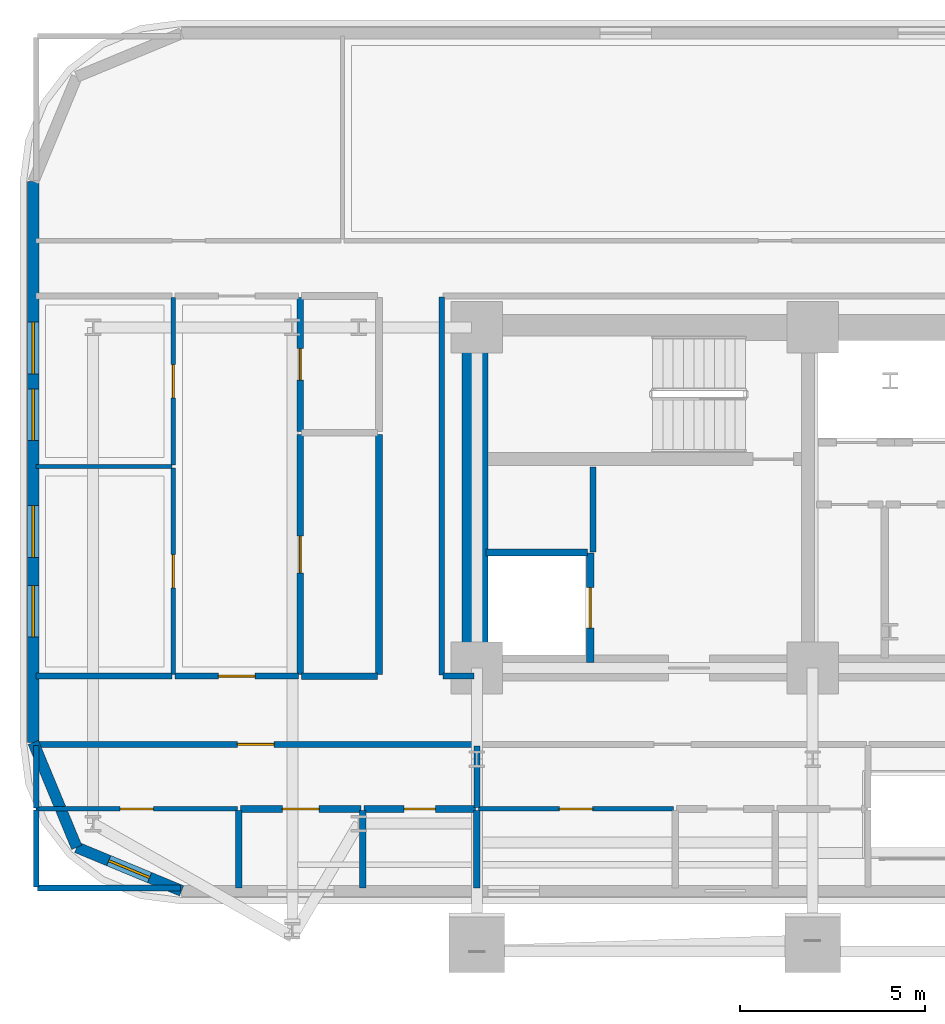
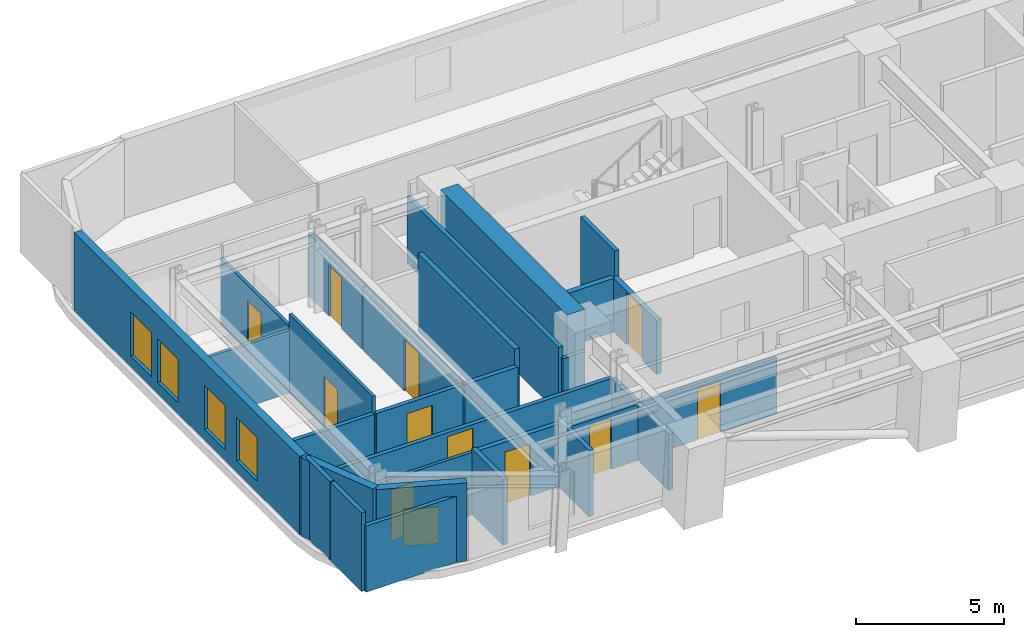
# One storey, part 8 of 16: 30 walls, 11 doors, 5 windows, 16 openings.
"""IFC4 building model written with IfcOpenShell, lengths in metres."""

from ifc_helpers import new_model, si_unit, direction, frame, frame_2d, origin, place, context, subcontext, project, spatial, rectangle, extrude, material, layer, layer_set, type_object, element, fill, save


model = new_model("IFC4")

# Units and contexts
model_context = context("Model", 3, precision=1e-05, world=origin(), true_north=direction((0.0, 1.0)))
body_context = subcontext(model_context, "Body", "Model", "MODEL_VIEW")
ifc_project = project(units=[si_unit("LENGTHUNIT", "METRE"), si_unit("AREAUNIT", "SQUARE_METRE"), si_unit("VOLUMEUNIT", "CUBIC_METRE"), si_unit("PLANEANGLEUNIT", "RADIAN"), si_unit("MASSUNIT", "GRAM", prefix="KILO")], contexts=[model_context])

# Site, building, storey
site_placement = place(None, origin())
site = spatial("IfcSite", under=ifc_project, at=site_placement, CompositionType="ELEMENT")
building_placement = place(site_placement, origin())
building = spatial("IfcBuilding", under=site, at=building_placement, Name="Zarnavel Station Tower", CompositionType="ELEMENT")
storey_placement = place(building_placement, frame((0.0, 0.0, 64.0)))
storey = spatial("IfcBuildingStorey", under=building, at=storey_placement, Name="L17", CompositionType="ELEMENT", Elevation=64.0)

# Wall
ifc_material_1 = material(Name="Concrete C60/75", Category="concrete")
ifc_layer_1 = layer(ifc_material_1, 0.699951171875)
ifc_layer_set_1 = layer_set([ifc_layer_1], Name="CW_700")
wall_type_1 = type_object("IfcWallType", Name="CW_700", PredefinedType="SHEAR", material=ifc_layer_set_1)
wall_1_placement = place(storey_placement, frame((12.14990234375, 28.169921875, 0.0), z_axis=(0.0, 0.0, 1.0), x_axis=(0.0, 1.0, 0.0)))
element("IfcWall", 1, at=wall_1_placement, inside=storey, type_object=wall_type_1, Name="L17 Rear Core Shear Wall W", PredefinedType="SHEAR", context=body_context, shape_type="SweptSolid", body=[
    extrude(rectangle(XDim=8.530029296875, YDim=0.699951171875, at=frame_2d((4.26513671875, 0.0))), origin(), (0.0, 0.0, 1.0), 3.5),
])

# Wall, openings, windows
ifc_material_2 = material(Name="Precast concrete C45/55 (Dark Basalt Finish)", Category="masonry")
ifc_layer_2 = layer(ifc_material_2, 0.300048828125)
ifc_layer_set_2 = layer_set([ifc_layer_2], Name="EW_BASALT_300")
wall_type_2 = type_object("IfcWallType", Name="EW_BASALT_300", PredefinedType="SOLIDWALL", material=ifc_layer_set_2)
wall_2_placement = place(storey_placement, frame((0.179931640625, 25.800048828125, 0.0), z_axis=(0.0, 0.0, 1.0), x_axis=(0.0, 1.0, 0.0)))
wall_2 = element("IfcWall", 2, at=wall_2_placement, inside=storey, type_object=wall_type_2, Name="L17 Exterior Basalt Masonry Frame Wall 09", PredefinedType="SOLIDWALL", context=body_context, shape_type="SweptSolid", body=[
    extrude(rectangle(XDim=15.199951171875, YDim=0.300048828125, at=frame_2d((7.60009765625, 0.0))), origin(), (0.0, 0.0, 1.0), 3.239990234375),
])
opening_1_placement = place(wall_2_placement, frame((2.859619140625, 0.0, 0.47998046875)))
opening_1 = element("IfcOpeningElement", 3, at=opening_1_placement, cuts=wall_2, Name="Opening WN01", PredefinedType="OPENING", context=body_context, shape_type="SweptSolid", body=[
    extrude(rectangle(XDim=1.39990234375, YDim=1.800048828125, at=frame_2d((0.699951171875, 0.89990234375))), frame((0.0, 0.159912109375, 0.0), z_axis=(0.0, -1.0, 0.0), x_axis=(1.0, 0.0, 0.0)), (0.0, 0.0, 1.0), 0.320068359375),
])
opening_2_placement = place(wall_2_placement, frame((5.019287109375, 0.0, 0.47998046875)))
opening_2 = element("IfcOpeningElement", 4, at=opening_2_placement, cuts=wall_2, Name="Opening WN01", PredefinedType="OPENING", context=body_context, shape_type="SweptSolid", body=[
    extrude(rectangle(XDim=1.39990234375, YDim=1.800048828125, at=frame_2d((0.699951171875, 0.89990234375))), frame((0.0, 0.159912109375, 0.0), z_axis=(0.0, -1.0, 0.0), x_axis=(1.0, 0.0, 0.0)), (0.0, 0.0, 1.0), 0.320068359375),
])
opening_3_placement = place(wall_2_placement, frame((8.18603515625, 0.0, 0.47998046875)))
opening_3 = element("IfcOpeningElement", 5, at=opening_3_placement, cuts=wall_2, Name="Opening WN01", PredefinedType="OPENING", context=body_context, shape_type="SweptSolid", body=[
    extrude(rectangle(XDim=1.39990234375, YDim=1.800048828125, at=frame_2d((0.699951171875, 0.89990234375))), frame((0.0, 0.159912109375, 0.0), z_axis=(0.0, -1.0, 0.0), x_axis=(1.0, 0.0, 0.0)), (0.0, 0.0, 1.0), 0.320068359375),
])
opening_4_placement = place(wall_2_placement, frame((9.992919921875, 0.0, 0.47998046875)))
opening_4 = element("IfcOpeningElement", 6, at=opening_4_placement, cuts=wall_2, Name="Opening WN01", PredefinedType="OPENING", context=body_context, shape_type="SweptSolid", body=[
    extrude(rectangle(XDim=1.39990234375, YDim=1.800048828125, at=frame_2d((0.699951171875, 0.89990234375))), frame((0.0, 0.159912109375, 0.0), z_axis=(0.0, -1.0, 0.0), x_axis=(1.0, 0.0, 0.0)), (0.0, 0.0, 1.0), 0.320068359375),
])
ifc_material_3 = material(Name="Thermally Broken Black Aluminium and Low-E Dark Glass", Category="aluminium")
window_type_1 = type_object("IfcWindowType", Name="WN_1400x1800", PartitioningType="DOUBLE_PANEL_VERTICAL", PredefinedType="WINDOW", material=ifc_material_3)
window_1_placement = place(opening_1_placement, origin())
window_1 = element("IfcWindow", 7, at=window_1_placement, inside=storey, type_object=window_type_1, Name="L17 Recessed Facade Window 01", OverallHeight=1.800048828125, OverallWidth=1.39990234375, PartitioningType="SINGLE_PANEL", PredefinedType="WINDOW", context=body_context, shape_type="SweptSolid", body=[
    extrude(rectangle(XDim=1.39990234375, YDim=1.800048828125, at=frame_2d((0.699951171875, 0.89990234375))), frame((0.0, 0.030029296875, 0.0), z_axis=(0.0, -1.0, 0.0), x_axis=(1.0, 0.0, 0.0)), (0.0, 0.0, 1.0), 0.06005859375),
])
fill(opening_1, window_1)
window_2_placement = place(opening_2_placement, origin())
window_2 = element("IfcWindow", 8, at=window_2_placement, inside=storey, type_object=window_type_1, Name="L17 Recessed Facade Window 02", OverallHeight=1.800048828125, OverallWidth=1.39990234375, PartitioningType="SINGLE_PANEL", PredefinedType="WINDOW", context=body_context, shape_type="SweptSolid", body=[
    extrude(rectangle(XDim=1.39990234375, YDim=1.800048828125, at=frame_2d((0.699951171875, 0.89990234375))), frame((0.0, 0.030029296875, 0.0), z_axis=(0.0, -1.0, 0.0), x_axis=(1.0, 0.0, 0.0)), (0.0, 0.0, 1.0), 0.06005859375),
])
fill(opening_2, window_2)
window_3_placement = place(opening_3_placement, origin())
window_3 = element("IfcWindow", 9, at=window_3_placement, inside=storey, type_object=window_type_1, Name="L17 Recessed Facade Window 03", OverallHeight=1.800048828125, OverallWidth=1.39990234375, PartitioningType="SINGLE_PANEL", PredefinedType="WINDOW", context=body_context, shape_type="SweptSolid", body=[
    extrude(rectangle(XDim=1.39990234375, YDim=1.800048828125, at=frame_2d((0.699951171875, 0.89990234375))), frame((0.0, 0.030029296875, 0.0), z_axis=(0.0, -1.0, 0.0), x_axis=(1.0, 0.0, 0.0)), (0.0, 0.0, 1.0), 0.06005859375),
])
fill(opening_3, window_3)
window_4_placement = place(opening_4_placement, origin())
window_4 = element("IfcWindow", 10, at=window_4_placement, inside=storey, type_object=window_type_1, Name="L17 Recessed Facade Window 04", OverallHeight=1.800048828125, OverallWidth=1.39990234375, PartitioningType="SINGLE_PANEL", PredefinedType="WINDOW", context=body_context, shape_type="SweptSolid", body=[
    extrude(rectangle(XDim=1.39990234375, YDim=1.800048828125, at=frame_2d((0.699951171875, 0.89990234375))), frame((0.0, 0.030029296875, 0.0), z_axis=(0.0, -1.0, 0.0), x_axis=(1.0, 0.0, 0.0)), (0.0, 0.0, 1.0), 0.06005859375),
])
fill(opening_4, window_4)

# Wall
wall_3_placement = place(storey_placement, frame((1.357421875, 22.95751953125, 0.0), z_axis=(0.0, 0.0, 1.0), x_axis=(-0.382704529509, 0.923870793506, 0.0)))
element("IfcWall", 11, at=wall_3_placement, inside=storey, type_object=wall_type_2, Name="L17 Exterior Basalt Masonry Frame Wall 10", PredefinedType="SOLIDWALL", context=body_context, shape_type="SweptSolid", body=[
    extrude(rectangle(XDim=3.07666015625, YDim=0.300048828125, at=frame_2d((1.538330078125, 0.0))), origin(), (0.0, 0.0, 1.0), 3.239990234375),
])

# Wall, opening, window
wall_4_placement = place(storey_placement, frame((4.199951171875, 21.780029296875, 0.0), z_axis=(0.0, 0.0, 1.0), x_axis=(-0.923870793506, 0.382704529509, 0.0)))
wall_4 = element("IfcWall", 12, at=wall_4_placement, inside=storey, type_object=wall_type_2, Name="L17 Exterior Basalt Masonry Frame Wall 11", PredefinedType="SOLIDWALL", context=body_context, shape_type="SweptSolid", body=[
    extrude(rectangle(XDim=3.07666015625, YDim=0.300048828125, at=frame_2d((1.538330078125, 0.0))), origin(), (0.0, 0.0, 1.0), 3.239990234375),
])
opening_5_placement = place(wall_4_placement, frame((0.9384765625, 0.0, 0.75)))
opening_5 = element("IfcOpeningElement", 13, at=opening_5_placement, cuts=wall_4, Name="Opening WN08", PredefinedType="OPENING", context=body_context, shape_type="SweptSolid", body=[
    extrude(rectangle(XDim=1.199951171875, YDim=1.5, at=frame_2d((0.60009765625, 0.75))), frame((0.0, 0.159912109375, 0.0), z_axis=(0.0, -1.0, 0.0), x_axis=(1.0, 0.0, 0.0)), (0.0, 0.0, 1.0), 0.320068359375),
])
ifc_material_4 = material(Name="Thermally Broken Black Aluminium and Low-E Dark Glass", Category="aluminium")
window_type_2 = type_object("IfcWindowType", Name="WN_1200x1500", PartitioningType="SINGLE_PANEL", PredefinedType="WINDOW", material=ifc_material_4)
window_5_placement = place(opening_5_placement, origin())
window_5 = element("IfcWindow", 14, at=window_5_placement, inside=storey, type_object=window_type_2, Name="L17 Recessed Facade Window 01", OverallHeight=1.5, OverallWidth=1.199951171875, PartitioningType="SINGLE_PANEL", PredefinedType="WINDOW", context=body_context, shape_type="SweptSolid", body=[
    extrude(rectangle(XDim=1.199951171875, YDim=1.5, at=frame_2d((0.60009765625, 0.75))), frame((0.0, 0.030029296875, 0.0), z_axis=(0.0, -1.0, 0.0), x_axis=(1.0, 0.0, 0.0)), (0.0, 0.0, 1.0), 0.06005859375),
])
fill(opening_5, window_5)

# Wall, opening, door
ifc_material_5 = material(Name="Gypsum Twin-Stud Acoustic Fire Partition", Category="concrete")
ifc_layer_3 = layer(ifc_material_5, 0.159912109375)
ifc_layer_set_3 = layer_set([ifc_layer_3], Name="PT_DEMISE_160")
wall_type_3 = type_object("IfcWallType", Name="PT_DEMISE_160", PredefinedType="PARTITIONING", material=ifc_layer_set_3)
wall_5_placement = place(storey_placement, frame((4.01611328125, 27.60009765625, 0.0), z_axis=(0.0, 0.0, 1.0), x_axis=(1.0, 0.0, 0.0)))
wall_5 = element("IfcWall", 15, at=wall_5_placement, inside=storey, type_object=wall_type_3, Name="L17 Partition COR-S-FNWLV", PredefinedType="PARTITIONING", context=body_context, shape_type="SweptSolid", body=[
    extrude(rectangle(XDim=3.35693359375, YDim=0.159912109375, at=frame_2d((1.678466796875, 0.0))), origin(), (0.0, 0.0, 1.0), 2.570068359375),
])
opening_6_placement = place(wall_5_placement, frame((1.178466796875, 0.0, 0.0)))
opening_6 = element("IfcOpeningElement", 16, at=opening_6_placement, cuts=wall_5, Name="Opening FD02", PredefinedType="OPENING", context=body_context, shape_type="SweptSolid", body=[
    extrude(rectangle(XDim=1.0, YDim=2.14990234375, at=frame_2d((0.5, 1.074951171875))), frame((0.0, 0.08984375, 0.0), z_axis=(0.0, -1.0, 0.0), x_axis=(1.0, 0.0, 0.0)), (0.0, 0.0, 1.0), 0.179931640625),
])
ifc_material_6 = material(Name="Painted Galvanised Steel and Hardwood Leaf", Category="steel")
door_type_1 = type_object("IfcDoorType", Name="ID_ENTRY_1000", OperationType="NOTDEFINED", PredefinedType="DOOR", material=ifc_material_6)
door_1_placement = place(opening_6_placement, origin())
door_1 = element("IfcDoor", 17, at=door_1_placement, inside=storey, type_object=door_type_1, Name="L17 Door COR-S-FNWLV", OperationType="SINGLE_SWING_RIGHT", OverallHeight=2.14990234375, OverallWidth=1.0, PredefinedType="DOOR", context=body_context, shape_type="SweptSolid", body=[
    extrude(rectangle(XDim=1.0, YDim=2.14990234375, at=frame_2d((0.5, 1.074951171875))), frame((0.0, 0.02490234375, 0.0), z_axis=(0.0, -1.0, 0.0), x_axis=(1.0, 0.0, 0.0)), (0.0, 0.0, 1.0), 0.050048828125),
])
fill(opening_6, door_1)

# Wall
wall_6_placement = place(storey_placement, frame((0.260009765625, 27.60009765625, 0.0), z_axis=(0.0, 0.0, 1.0), x_axis=(1.0, 0.0, 0.0)))
element("IfcWall", 18, at=wall_6_placement, inside=storey, type_object=wall_type_3, Name="L17 Partition COR-S-FNWB1", PredefinedType="PARTITIONING", context=body_context, shape_type="SweptSolid", body=[
    extrude(rectangle(XDim=3.676025390625, YDim=0.159912109375, at=frame_2d((1.837890625, 0.0))), origin(), (0.0, 0.0, 1.0), 2.570068359375),
])

# Wall, opening, door
wall_7_placement = place(storey_placement, frame((0.260009765625, 25.75, 0.0), z_axis=(0.0, 0.0, 1.0), x_axis=(1.0, 0.0, 0.0)))
wall_7 = element("IfcWall", 19, at=wall_7_placement, inside=storey, type_object=wall_type_3, Name="L17 Partition COR-S-UW1LV", PredefinedType="PARTITIONING", context=body_context, shape_type="SweptSolid", body=[
    extrude(rectangle(XDim=11.89990234375, YDim=0.159912109375, at=frame_2d((5.949951171875, 0.0))), origin(), (0.0, 0.0, 1.0), 2.31005859375),
])
opening_7_placement = place(wall_7_placement, frame((5.449951171875, 0.0, 0.0)))
opening_7 = element("IfcOpeningElement", 20, at=opening_7_placement, cuts=wall_7, Name="Opening FD02", PredefinedType="OPENING", context=body_context, shape_type="SweptSolid", body=[
    extrude(rectangle(XDim=1.0, YDim=2.14990234375, at=frame_2d((0.5, 1.074951171875))), frame((0.0, 0.08984375, 0.0), z_axis=(0.0, -1.0, 0.0), x_axis=(1.0, 0.0, 0.0)), (0.0, 0.0, 1.0), 0.179931640625),
])
door_2_placement = place(opening_7_placement, origin())
door_2 = element("IfcDoor", 21, at=door_2_placement, inside=storey, type_object=door_type_1, Name="L17 Door COR-S-UW1LV", OperationType="SINGLE_SWING_RIGHT", OverallHeight=2.14990234375, OverallWidth=1.0, PredefinedType="DOOR", context=body_context, shape_type="SweptSolid", body=[
    extrude(rectangle(XDim=1.0, YDim=2.14990234375, at=frame_2d((0.5, 1.074951171875))), frame((0.0, 0.02490234375, 0.0), z_axis=(0.0, -1.0, 0.0), x_axis=(1.0, 0.0, 0.0)), (0.0, 0.0, 1.0), 0.050048828125),
])
fill(opening_7, door_2)

# Walls
wall_8_placement = place(storey_placement, frame((12.199951171875, 24.0400390625, 0.0), z_axis=(0.0, 0.0, 1.0), x_axis=(0.0, 1.0, 0.0)))
element("IfcWall", 22, at=wall_8_placement, inside=storey, type_object=wall_type_3, Name="L17 Partition UW1LV-UW2LV", PredefinedType="PARTITIONING", context=body_context, shape_type="SweptSolid", body=[
    extrude(rectangle(XDim=1.669921875, YDim=0.159912109375, at=frame_2d((0.8349609375, 0.0))), origin(), (0.0, 0.0, 1.0), 2.31005859375),
])
wall_9_placement = place(storey_placement, frame((15.35009765625, 30.9599609375, 0.0), z_axis=(0.0, 0.0, 1.0), x_axis=(0.0, 1.0, 0.0)))
element("IfcWall", 23, at=wall_9_placement, inside=storey, type_object=wall_type_3, Name="L17 Enclosure Wall FFL1", PredefinedType="PARTITIONING", context=body_context, shape_type="SweptSolid", body=[
    extrude(rectangle(XDim=2.31005859375, YDim=0.159912109375, at=frame_2d((1.155029296875, 0.0))), origin(), (0.0, 0.0, 1.0), 3.239990234375),
])
wall_10_placement = place(storey_placement, frame((11.280029296875, 27.60009765625, 0.0), z_axis=(0.0, 0.0, 1.0), x_axis=(1.0, 0.0, 0.0)))
element("IfcWall", 24, at=wall_10_placement, inside=storey, type_object=wall_type_3, Name="L17 Enclosure Wall COR-S", PredefinedType="PARTITIONING", context=body_context, shape_type="SweptSolid", body=[
    extrude(rectangle(XDim=0.840087890625, YDim=0.159912109375, at=frame_2d((0.419921875, 0.0))), origin(), (0.0, 0.0, 1.0), 2.280029296875),
])
wall_11_placement = place(storey_placement, frame((11.25, 27.6298828125, 0.0), z_axis=(0.0, 0.0, 1.0), x_axis=(0.0, 1.0, 0.0)))
element("IfcWall", 25, at=wall_11_placement, inside=storey, type_object=wall_type_3, Name="L17 Enclosure Wall COR-W", PredefinedType="PARTITIONING", context=body_context, shape_type="SweptSolid", body=[
    extrude(rectangle(XDim=10.240234375, YDim=0.159912109375, at=frame_2d((5.1201171875, 0.0))), origin(), (0.0, 0.0, 1.0), 2.719970703125),
])
wall_12_placement = place(storey_placement, frame((0.260009765625, 24.030029296875, 0.0), z_axis=(0.0, 0.0, 1.0), x_axis=(0.0, 1.0, 0.0)))
element("IfcWall", 26, at=wall_12_placement, inside=storey, type_object=wall_type_3, Name="L17 Enclosure Wall UW1LV", PredefinedType="PARTITIONING", context=body_context, shape_type="SweptSolid", body=[
    extrude(rectangle(XDim=1.68994140625, YDim=0.159912109375, at=frame_2d((0.844970703125, 0.0))), origin(), (0.0, 0.0, 1.0), 3.239990234375),
])
wall_13_placement = place(storey_placement, frame((0.2900390625, 21.860107421875, 0.0), z_axis=(0.0, 0.0, 1.0), x_axis=(1.0, 0.0, 0.0)))
element("IfcWall", 27, at=wall_13_placement, inside=storey, type_object=wall_type_3, Name="L17 Enclosure Wall UW1B1", PredefinedType="PARTITIONING", context=body_context, shape_type="SweptSolid", body=[
    extrude(rectangle(XDim=3.8798828125, YDim=0.159912109375, at=frame_2d((1.93994140625, 0.0))), origin(), (0.0, 0.0, 1.0), 2.719970703125),
])
wall_14_placement = place(storey_placement, frame((0.260009765625, 21.889892578125, 0.0), z_axis=(0.0, 0.0, 1.0), x_axis=(0.0, 1.0, 0.0)))
element("IfcWall", 28, at=wall_14_placement, inside=storey, type_object=wall_type_3, Name="L17 Enclosure Wall UW1B1", PredefinedType="PARTITIONING", context=body_context, shape_type="SweptSolid", body=[
    extrude(rectangle(XDim=2.080078125, YDim=0.159912109375, at=frame_2d((1.0400390625, 0.0))), origin(), (0.0, 0.0, 1.0), 3.239990234375),
])

# Wall, opening, door
ifc_material_7 = material(Name="Gypsum Metal-Stud Interior Partition", Category="concrete")
ifc_layer_4 = layer(ifc_material_7, 0.1201171875)
ifc_layer_set_4 = layer_set([ifc_layer_4], Name="PT_ROOM_120")
wall_type_4 = type_object("IfcWallType", Name="PT_ROOM_120", PredefinedType="PARTITIONING", material=ifc_layer_set_4)
wall_15_placement = place(storey_placement, frame((3.97607421875, 27.639892578125, 0.0), z_axis=(0.0, 0.0, 1.0), x_axis=(0.0, 1.0, 0.0)))
wall_15 = element("IfcWall", 29, at=wall_15_placement, inside=storey, type_object=wall_type_4, Name="L17 Partition FNWLV-FNWB1", PredefinedType="PARTITIONING", context=body_context, shape_type="SweptSolid", body=[
    extrude(rectangle(XDim=5.59912109375, YDim=0.1201171875, at=frame_2d((2.799560546875, 0.0))), origin(), (0.0, 0.0, 1.0), 3.239990234375),
])
opening_8_placement = place(wall_15_placement, frame((2.349609375, 0.0, 0.0)))
opening_8 = element("IfcOpeningElement", 30, at=opening_8_placement, cuts=wall_15, Name="Opening ID01", PredefinedType="OPENING", context=body_context, shape_type="SweptSolid", body=[
    extrude(rectangle(XDim=0.89990234375, YDim=2.10009765625, at=frame_2d((0.449951171875, 1.050048828125))), frame((0.0, 0.070068359375, 0.0), z_axis=(0.0, -1.0, 0.0), x_axis=(1.0, 0.0, 0.0)), (0.0, 0.0, 1.0), 0.14013671875),
])
ifc_material_8 = material(Name="Painted Galvanised Steel and Hardwood Leaf", Category="steel")
door_type_2 = type_object("IfcDoorType", Name="ID_ROOM_900", OperationType="NOTDEFINED", PredefinedType="DOOR", material=ifc_material_8)
door_3_placement = place(opening_8_placement, origin())
door_3 = element("IfcDoor", 31, at=door_3_placement, inside=storey, type_object=door_type_2, Name="L17 Door FNWLV-FNWB1", OperationType="SINGLE_SWING_LEFT", OverallHeight=2.10009765625, OverallWidth=0.89990234375, PredefinedType="DOOR", context=body_context, shape_type="SweptSolid", body=[
    extrude(rectangle(XDim=0.89990234375, YDim=2.10009765625, at=frame_2d((0.449951171875, 1.050048828125))), frame((0.0, 0.02490234375, 0.0), z_axis=(0.0, -1.0, 0.0), x_axis=(1.0, 0.0, 0.0)), (0.0, 0.0, 1.0), 0.050048828125),
])
fill(opening_8, door_3)

wall_16_placement = place(storey_placement, frame((3.97607421875, 33.319091796875, 0.0), z_axis=(0.0, 0.0, 1.0), x_axis=(0.0, 1.0, 0.0)))
wall_16 = element("IfcWall", 32, at=wall_16_placement, inside=storey, type_object=wall_type_4, Name="L17 Partition FNWLV-FNWB2", PredefinedType="PARTITIONING", context=body_context, shape_type="SweptSolid", body=[
    extrude(rectangle(XDim=4.541015625, YDim=0.1201171875, at=frame_2d((2.2705078125, 0.0))), origin(), (0.0, 0.0, 1.0), 2.719970703125),
])
opening_9_placement = place(wall_16_placement, frame((1.820556640625, 0.0, 0.0)))
opening_9 = element("IfcOpeningElement", 33, at=opening_9_placement, cuts=wall_16, Name="Opening ID01", PredefinedType="OPENING", context=body_context, shape_type="SweptSolid", body=[
    extrude(rectangle(XDim=0.89990234375, YDim=2.10009765625, at=frame_2d((0.449951171875, 1.050048828125))), frame((0.0, 0.070068359375, 0.0), z_axis=(0.0, -1.0, 0.0), x_axis=(1.0, 0.0, 0.0)), (0.0, 0.0, 1.0), 0.14013671875),
])
door_4_placement = place(opening_9_placement, origin())
door_4 = element("IfcDoor", 34, at=door_4_placement, inside=storey, type_object=door_type_2, Name="L17 Door FNWLV-FNWB2", OperationType="SINGLE_SWING_RIGHT", OverallHeight=2.10009765625, OverallWidth=0.89990234375, PredefinedType="DOOR", context=body_context, shape_type="SweptSolid", body=[
    extrude(rectangle(XDim=0.89990234375, YDim=2.10009765625, at=frame_2d((0.449951171875, 1.050048828125))), frame((0.0, 0.02490234375, 0.0), z_axis=(0.0, -1.0, 0.0), x_axis=(1.0, 0.0, 0.0)), (0.0, 0.0, 1.0), 0.050048828125),
])
fill(opening_9, door_4)

# Wall
wall_17_placement = place(storey_placement, frame((0.260009765625, 33.279052734375, 0.0), z_axis=(0.0, 0.0, 1.0), x_axis=(1.0, 0.0, 0.0)))
element("IfcWall", 35, at=wall_17_placement, inside=storey, type_object=wall_type_4, Name="L17 Partition FNWB1-FNWB2", PredefinedType="PARTITIONING", context=body_context, shape_type="SweptSolid", body=[
    extrude(rectangle(XDim=3.676025390625, YDim=0.1201171875, at=frame_2d((1.837890625, 0.0))), origin(), (0.0, 0.0, 1.0), 2.570068359375),
])

# Wall, opening, door
wall_18_placement = place(storey_placement, frame((0.260009765625, 24.0, 0.0), z_axis=(0.0, 0.0, 1.0), x_axis=(1.0, 0.0, 0.0)))
wall_18 = element("IfcWall", 36, at=wall_18_placement, inside=storey, type_object=wall_type_4, Name="L17 Partition UW1LV-UW1B1", PredefinedType="PARTITIONING", context=body_context, shape_type="SweptSolid", body=[
    extrude(rectangle(XDim=5.451904296875, YDim=0.1201171875, at=frame_2d((2.72607421875, 0.0))), origin(), (0.0, 0.0, 1.0), 2.570068359375),
])
opening_10_placement = place(wall_18_placement, frame((2.27587890625, 0.0, 0.0)))
opening_10 = element("IfcOpeningElement", 37, at=opening_10_placement, cuts=wall_18, Name="Opening ID01", PredefinedType="OPENING", context=body_context, shape_type="SweptSolid", body=[
    extrude(rectangle(XDim=0.89990234375, YDim=2.10009765625, at=frame_2d((0.449951171875, 1.050048828125))), frame((0.0, 0.070068359375, 0.0), z_axis=(0.0, -1.0, 0.0), x_axis=(1.0, 0.0, 0.0)), (0.0, 0.0, 1.0), 0.14013671875),
])
door_5_placement = place(opening_10_placement, origin())
door_5 = element("IfcDoor", 38, at=door_5_placement, inside=storey, type_object=door_type_2, Name="L17 Door UW1LV-UW1B1", OperationType="SINGLE_SWING_LEFT", OverallHeight=2.10009765625, OverallWidth=0.89990234375, PredefinedType="DOOR", context=body_context, shape_type="SweptSolid", body=[
    extrude(rectangle(XDim=0.89990234375, YDim=2.10009765625, at=frame_2d((0.449951171875, 1.050048828125))), frame((0.0, 0.02490234375, 0.0), z_axis=(0.0, -1.0, 0.0), x_axis=(1.0, 0.0, 0.0)), (0.0, 0.0, 1.0), 0.050048828125),
])
fill(opening_10, door_5)

wall_19_placement = place(storey_placement, frame((12.239990234375, 24.0, 0.0), z_axis=(0.0, 0.0, 1.0), x_axis=(1.0, 0.0, 0.0)))
wall_19 = element("IfcWall", 39, at=wall_19_placement, inside=storey, type_object=wall_type_4, Name="L17 Partition UW2LV-UW2B1", PredefinedType="PARTITIONING", context=body_context, shape_type="SweptSolid", body=[
    extrude(rectangle(XDim=5.2939453125, YDim=0.1201171875, at=frame_2d((2.64697265625, 0.0))), origin(), (0.0, 0.0, 1.0), 2.31005859375),
])
opening_11_placement = place(wall_19_placement, frame((2.197021484375, 0.0, 0.0)))
opening_11 = element("IfcOpeningElement", 40, at=opening_11_placement, cuts=wall_19, Name="Opening ID01", PredefinedType="OPENING", context=body_context, shape_type="SweptSolid", body=[
    extrude(rectangle(XDim=0.89990234375, YDim=2.10009765625, at=frame_2d((0.449951171875, 1.050048828125))), frame((0.0, 0.070068359375, 0.0), z_axis=(0.0, -1.0, 0.0), x_axis=(1.0, 0.0, 0.0)), (0.0, 0.0, 1.0), 0.14013671875),
])
door_6_placement = place(opening_11_placement, origin())
door_6 = element("IfcDoor", 41, at=door_6_placement, inside=storey, type_object=door_type_2, Name="L17 Door UW2LV-UW2B1", OperationType="SINGLE_SWING_RIGHT", OverallHeight=2.10009765625, OverallWidth=0.89990234375, PredefinedType="DOOR", context=body_context, shape_type="SweptSolid", body=[
    extrude(rectangle(XDim=0.89990234375, YDim=2.10009765625, at=frame_2d((0.449951171875, 1.050048828125))), frame((0.0, 0.02490234375, 0.0), z_axis=(0.0, -1.0, 0.0), x_axis=(1.0, 0.0, 0.0)), (0.0, 0.0, 1.0), 0.050048828125),
])
fill(opening_11, door_6)

ifc_material_9 = material(Name="Precast concrete C45/55 (Fire Shaft Blockwork)", Category="masonry")
ifc_layer_5 = layer(ifc_material_9, 0.199951171875)
ifc_layer_set_5 = layer_set([ifc_layer_5], Name="PT_SHAFT_200")
wall_type_5 = type_object("IfcWallType", Name="PT_SHAFT_200", PredefinedType="PARTITIONING", material=ifc_layer_set_5)
wall_20_placement = place(storey_placement, frame((15.27001953125, 27.969970703125, 0.0), z_axis=(0.0, 0.0, 1.0), x_axis=(0.0, 1.0, 0.0)))
wall_20 = element("IfcWall", 42, at=wall_20_placement, inside=storey, type_object=wall_type_5, Name="L17 Lift FFL-01 Shaft Front Wall", PredefinedType="PARTITIONING", context=body_context, shape_type="SweptSolid", body=[
    extrude(rectangle(XDim=2.9599609375, YDim=0.199951171875, at=frame_2d((1.47998046875, 0.0))), origin(), (0.0, 0.0, 1.0), 2.2119140625),
])
opening_12_placement = place(wall_20_placement, frame((0.929931640625, 0.0, 0.0)))
opening_12 = element("IfcOpeningElement", 43, at=opening_12_placement, cuts=wall_20, Name="Opening LD01", PredefinedType="OPENING", context=body_context, shape_type="SweptSolid", body=[
    extrude(rectangle(XDim=1.10009765625, YDim=2.14990234375, at=frame_2d((0.550048828125, 1.074951171875))), frame((0.0, 0.10986328125, 0.0), z_axis=(0.0, -1.0, 0.0), x_axis=(1.0, 0.0, 0.0)), (0.0, 0.0, 1.0), 0.219970703125),
])
ifc_material_10 = material(Name="Painted Galvanised Steel and Hardwood Leaf", Category="steel")
door_type_3 = type_object("IfcDoorType", Name="LD_FF_1100", OperationType="DOUBLE_DOOR_SLIDING", PredefinedType="DOOR", material=ifc_material_10)
door_7_placement = place(opening_12_placement, origin())
door_7 = element("IfcDoor", 44, at=door_7_placement, inside=storey, type_object=door_type_3, Name="L17 Lift FFL-01 Sliding Landing Door", OperationType="DOUBLE_DOOR_SLIDING", OverallHeight=2.14990234375, OverallWidth=1.10009765625, PredefinedType="DOOR", context=body_context, shape_type="SweptSolid", body=[
    extrude(rectangle(XDim=1.10009765625, YDim=2.14990234375, at=frame_2d((0.550048828125, 1.074951171875))), frame((0.0, 0.02490234375, 0.0), z_axis=(0.0, -1.0, 0.0), x_axis=(1.0, 0.0, 0.0)), (0.0, 0.0, 1.0), 0.050048828125),
])
fill(opening_12, door_7)

# Walls
wall_21_placement = place(storey_placement, frame((12.449951171875, 30.949951171875, 0.0), z_axis=(0.0, 0.0, 1.0), x_axis=(1.0, 0.0, 0.0)))
element("IfcWall", 45, at=wall_21_placement, inside=storey, type_object=wall_type_5, Name="L17 Lift FFL-01 North Shaft Wall", PredefinedType="PARTITIONING", context=body_context, shape_type="SweptSolid", body=[
    extrude(rectangle(XDim=2.75, YDim=0.199951171875, at=frame_2d((1.375, 0.0))), origin(), (0.0, 0.0, 1.0), 2.2119140625),
])
ifc_material_11 = material(Name="Moisture-Resistant Plumbing Chase Wall", Category="concrete")
ifc_layer_6 = layer(ifc_material_11, 0.179931640625)
ifc_layer_set_6 = layer_set([ifc_layer_6], Name="PW_PLUMB_180")
wall_type_6 = type_object("IfcWallType", Name="PW_PLUMB_180", PredefinedType="PLUMBINGWALL", material=ifc_layer_set_6)
wall_22_placement = place(storey_placement, frame((7.452880859375, 27.60009765625, 0.0), z_axis=(0.0, 0.0, 1.0), x_axis=(1.0, 0.0, 0.0)))
element("IfcWall", 46, at=wall_22_placement, inside=storey, type_object=wall_type_6, Name="L17 Partition COR-S-FNWKT", PredefinedType="PLUMBINGWALL", context=body_context, shape_type="SweptSolid", body=[
    extrude(rectangle(XDim=2.05712890625, YDim=0.179931640625, at=frame_2d((1.028564453125, 0.0))), origin(), (0.0, 0.0, 1.0), 2.570068359375),
])
wall_23_placement = place(storey_placement, frame((9.550048828125, 27.639892578125, 0.0), z_axis=(0.0, 0.0, 1.0), x_axis=(0.0, 1.0, 0.0)))
element("IfcWall", 47, at=wall_23_placement, inside=storey, type_object=wall_type_6, Name="L17 Partition COR-W-FNWKT", PredefinedType="PLUMBINGWALL", context=body_context, shape_type="SweptSolid", body=[
    extrude(rectangle(XDim=6.51220703125, YDim=0.179931640625, at=frame_2d((3.256103515625, 0.0))), origin(), (0.0, 0.0, 1.0), 3.239990234375),
])

# Wall, opening, door
wall_24_placement = place(storey_placement, frame((7.4130859375, 27.639892578125, 0.0), z_axis=(0.0, 0.0, 1.0), x_axis=(0.0, 1.0, 0.0)))
wall_24 = element("IfcWall", 48, at=wall_24_placement, inside=storey, type_object=wall_type_6, Name="L17 Partition FNWLV-FNWKT", PredefinedType="PLUMBINGWALL", context=body_context, shape_type="SweptSolid", body=[
    extrude(rectangle(XDim=6.51220703125, YDim=0.179931640625, at=frame_2d((3.256103515625, 0.0))), origin(), (0.0, 0.0, 1.0), 2.570068359375),
])
opening_13_placement = place(wall_24_placement, frame((2.756103515625, 0.0, 0.0)))
opening_13 = element("IfcOpeningElement", 49, at=opening_13_placement, cuts=wall_24, Name="Opening FD02", PredefinedType="OPENING", context=body_context, shape_type="SweptSolid", body=[
    extrude(rectangle(XDim=1.0, YDim=2.14990234375, at=frame_2d((0.5, 1.074951171875))), frame((0.0, 0.099853515625, 0.0), z_axis=(0.0, -1.0, 0.0), x_axis=(1.0, 0.0, 0.0)), (0.0, 0.0, 1.0), 0.199951171875),
])
door_8_placement = place(opening_13_placement, origin())
door_8 = element("IfcDoor", 50, at=door_8_placement, inside=storey, type_object=door_type_1, Name="L17 Door FNWLV-FNWKT", OperationType="SINGLE_SWING_LEFT", OverallHeight=2.14990234375, OverallWidth=1.0, PredefinedType="DOOR", context=body_context, shape_type="SweptSolid", body=[
    extrude(rectangle(XDim=1.0, YDim=2.14990234375, at=frame_2d((0.5, 1.074951171875))), frame((0.0, 0.02490234375, 0.0), z_axis=(0.0, -1.0, 0.0), x_axis=(1.0, 0.0, 0.0)), (0.0, 0.0, 1.0), 0.050048828125),
])
fill(opening_13, door_8)

wall_25_placement = place(storey_placement, frame((7.4130859375, 34.23193359375, 0.0), z_axis=(0.0, 0.0, 1.0), x_axis=(0.0, 1.0, 0.0)))
wall_25 = element("IfcWall", 51, at=wall_25_placement, inside=storey, type_object=wall_type_6, Name="L17 Partition FNWLV-FNWBA", PredefinedType="PLUMBINGWALL", context=body_context, shape_type="SweptSolid", body=[
    extrude(rectangle(XDim=3.628173828125, YDim=0.179931640625, at=frame_2d((1.81396484375, 0.0))), origin(), (0.0, 0.0, 1.0), 2.570068359375),
])
opening_14_placement = place(wall_25_placement, frame((1.388916015625, 0.0, 0.0)))
opening_14 = element("IfcOpeningElement", 52, at=opening_14_placement, cuts=wall_25, Name="Opening ID02", PredefinedType="OPENING", context=body_context, shape_type="SweptSolid", body=[
    extrude(rectangle(XDim=0.85009765625, YDim=2.10009765625, at=frame_2d((0.425048828125, 1.050048828125))), frame((0.0, 0.099853515625, 0.0), z_axis=(0.0, -1.0, 0.0), x_axis=(1.0, 0.0, 0.0)), (0.0, 0.0, 1.0), 0.199951171875),
])
ifc_material_12 = material(Name="Painted Galvanised Steel and Hardwood Leaf", Category="steel")
door_type_4 = type_object("IfcDoorType", Name="ID_BATH_850", OperationType="NOTDEFINED", PredefinedType="DOOR", material=ifc_material_12)
door_9_placement = place(opening_14_placement, origin())
door_9 = element("IfcDoor", 53, at=door_9_placement, inside=storey, type_object=door_type_4, Name="L17 Door FNWLV-FNWBA", OperationType="SINGLE_SWING_RIGHT", OverallHeight=2.10009765625, OverallWidth=0.85009765625, PredefinedType="DOOR", context=body_context, shape_type="SweptSolid", body=[
    extrude(rectangle(XDim=0.85009765625, YDim=2.10009765625, at=frame_2d((0.425048828125, 1.050048828125))), frame((0.0, 0.02490234375, 0.0), z_axis=(0.0, -1.0, 0.0), x_axis=(1.0, 0.0, 0.0)), (0.0, 0.0, 1.0), 0.050048828125),
])
fill(opening_14, door_9)

wall_26_placement = place(storey_placement, frame((5.7919921875, 24.0, 0.0), z_axis=(0.0, 0.0, 1.0), x_axis=(1.0, 0.0, 0.0)))
wall_26 = element("IfcWall", 54, at=wall_26_placement, inside=storey, type_object=wall_type_6, Name="L17 Partition UW1LV-UW1KT", PredefinedType="PLUMBINGWALL", context=body_context, shape_type="SweptSolid", body=[
    extrude(rectangle(XDim=3.27294921875, YDim=0.179931640625, at=frame_2d((1.636474609375, 0.0))), origin(), (0.0, 0.0, 1.0), 2.570068359375),
])
opening_15_placement = place(wall_26_placement, frame((1.136474609375, 0.0, 0.0)))
opening_15 = element("IfcOpeningElement", 55, at=opening_15_placement, cuts=wall_26, Name="Opening FD02", PredefinedType="OPENING", context=body_context, shape_type="SweptSolid", body=[
    extrude(rectangle(XDim=1.0, YDim=2.14990234375, at=frame_2d((0.5, 1.074951171875))), frame((0.0, 0.099853515625, 0.0), z_axis=(0.0, -1.0, 0.0), x_axis=(1.0, 0.0, 0.0)), (0.0, 0.0, 1.0), 0.199951171875),
])
door_10_placement = place(opening_15_placement, origin())
door_10 = element("IfcDoor", 56, at=door_10_placement, inside=storey, type_object=door_type_1, Name="L17 Door UW1LV-UW1KT", OperationType="SINGLE_SWING_RIGHT", OverallHeight=2.14990234375, OverallWidth=1.0, PredefinedType="DOOR", context=body_context, shape_type="SweptSolid", body=[
    extrude(rectangle(XDim=1.0, YDim=2.14990234375, at=frame_2d((0.5, 1.074951171875))), frame((0.0, 0.02490234375, 0.0), z_axis=(0.0, -1.0, 0.0), x_axis=(1.0, 0.0, 0.0)), (0.0, 0.0, 1.0), 0.050048828125),
])
fill(opening_15, door_10)

wall_27_placement = place(storey_placement, frame((9.14501953125, 24.0, 0.0), z_axis=(0.0, 0.0, 1.0), x_axis=(1.0, 0.0, 0.0)))
wall_27 = element("IfcWall", 57, at=wall_27_placement, inside=storey, type_object=wall_type_6, Name="L17 Partition UW1LV-UW1BA", PredefinedType="PLUMBINGWALL", context=body_context, shape_type="SweptSolid", body=[
    extrude(rectangle(XDim=3.014892578125, YDim=0.179931640625, at=frame_2d((1.50732421875, 0.0))), origin(), (0.0, 0.0, 1.0), 2.31005859375),
])
opening_16_placement = place(wall_27_placement, frame((1.08251953125, 0.0, 0.0)))
opening_16 = element("IfcOpeningElement", 58, at=opening_16_placement, cuts=wall_27, Name="Opening ID02", PredefinedType="OPENING", context=body_context, shape_type="SweptSolid", body=[
    extrude(rectangle(XDim=0.85009765625, YDim=2.10009765625, at=frame_2d((0.425048828125, 1.050048828125))), frame((0.0, 0.099853515625, 0.0), z_axis=(0.0, -1.0, 0.0), x_axis=(1.0, 0.0, 0.0)), (0.0, 0.0, 1.0), 0.199951171875),
])
door_11_placement = place(opening_16_placement, origin())
door_11 = element("IfcDoor", 59, at=door_11_placement, inside=storey, type_object=door_type_4, Name="L17 Door UW1LV-UW1BA", OperationType="SINGLE_SWING_LEFT", OverallHeight=2.10009765625, OverallWidth=0.85009765625, PredefinedType="DOOR", context=body_context, shape_type="SweptSolid", body=[
    extrude(rectangle(XDim=0.85009765625, YDim=2.10009765625, at=frame_2d((0.425048828125, 1.050048828125))), frame((0.0, 0.02490234375, 0.0), z_axis=(0.0, -1.0, 0.0), x_axis=(1.0, 0.0, 0.0)), (0.0, 0.0, 1.0), 0.050048828125),
])
fill(opening_16, door_11)

# Walls
for number, where, z_axis, x_axis, name in (
    (60, (5.751953125, 21.860107421875, 0.0), (0.0, 0.0, 1.0), (0.0, 1.0, 0.0), "L17 Partition UW1B1-UW1KT"),
    (61, (9.10498046875, 21.860107421875, 0.0), (0.0, 0.0, 1.0), (0.0, 1.0, 0.0), "L17 Partition UW1KT-UW1BA"),
):
    element("IfcWall", number, at=place(storey_placement, frame(where, z_axis=z_axis, x_axis=x_axis)), inside=storey, type_object=wall_type_6, Name=name, PredefinedType="PLUMBINGWALL", context=body_context, shape_type="SweptSolid", body=[
        extrude(rectangle(XDim=2.099853515625, YDim=0.179931640625, at=frame_2d((1.0498046875, 0.0))), origin(), (0.0, 0.0, 1.0), 2.719970703125),
    ])
wall_28_placement = place(storey_placement, frame((12.199951171875, 21.860107421875, 0.0), z_axis=(0.0, 0.0, 1.0), x_axis=(0.0, 1.0, 0.0)))
element("IfcWall", 62, at=wall_28_placement, inside=storey, type_object=wall_type_6, Name="L17 Partition UW1BA-UW2B1", PredefinedType="PLUMBINGWALL", context=body_context, shape_type="SweptSolid", body=[
    extrude(rectangle(XDim=2.099853515625, YDim=0.179931640625, at=frame_2d((1.0498046875, 0.0))), origin(), (0.0, 0.0, 1.0), 2.31005859375),
])

save(model, "model.ifc")
